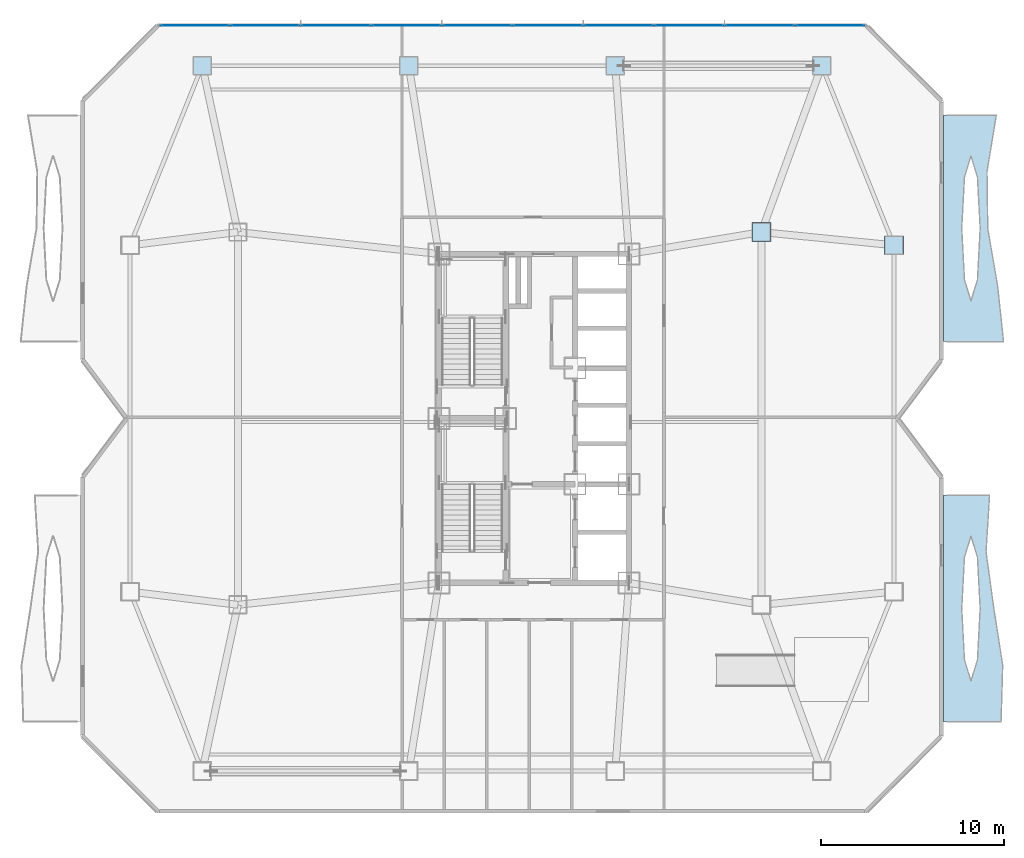
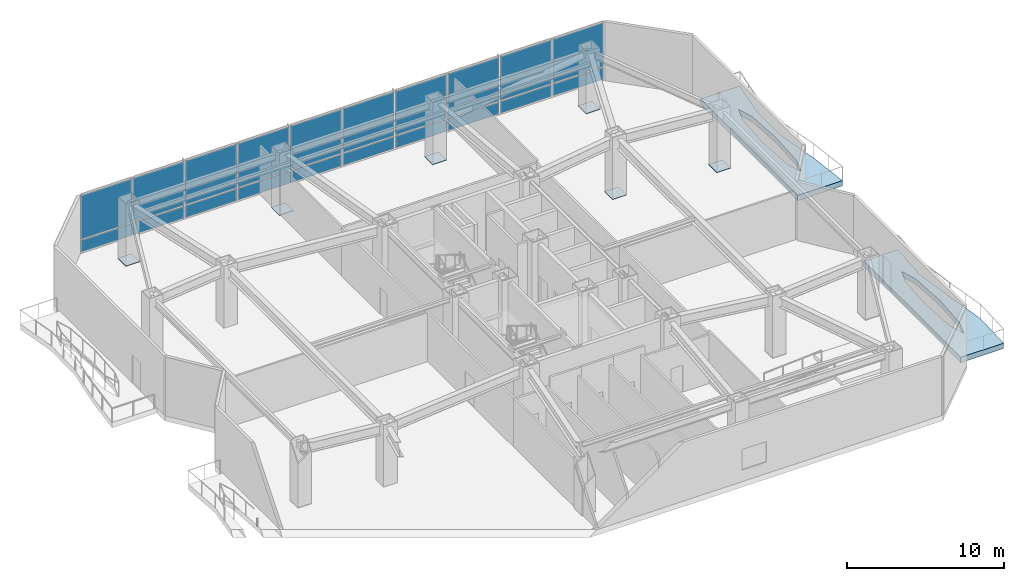
# One storey, part 7 of 14: 26 plates, 2 slabs, 1 element without a shape of its own.
"""IFC4 building model written with IfcOpenShell, lengths in metres."""

from ifc_helpers import new_model, si_unit, direction, frame, origin, origin_2d, place, context, subcontext, project, spatial, polyline, rectangle, outline, extrude, material, layer, layer_set, type_object, element, aggregate, save


model = new_model("IFC4")

# Units and contexts
model_context = context("Model", 3, precision=1e-05, world=origin(), true_north=direction((0.0, 1.0)))
body_context = subcontext(model_context, "Body", "Model", "MODEL_VIEW")
ifc_project = project(units=[si_unit("LENGTHUNIT", "METRE"), si_unit("AREAUNIT", "SQUARE_METRE"), si_unit("VOLUMEUNIT", "CUBIC_METRE"), si_unit("PLANEANGLEUNIT", "RADIAN"), si_unit("MASSUNIT", "GRAM", prefix="KILO")], contexts=[model_context])

# Site, building, storey
site_placement = place(None, origin())
site = spatial("IfcSite", under=ifc_project, at=site_placement, CompositionType="ELEMENT")
building_placement = place(site_placement, origin())
building = spatial("IfcBuilding", under=site, at=building_placement, Name="Khamvora Tower", CompositionType="ELEMENT")
storey_placement = place(building_placement, frame((0.0, 0.0, 89.800048828125)))
storey = spatial("IfcBuildingStorey", under=building, at=storey_placement, Name="L22", CompositionType="ELEMENT", Elevation=89.800048828125)

# Curtain wall, plates
ifc_material_1 = material(Name="Anodised Aluminium 6063-T6", Category="aluminium")
curtain_wall_type = type_object("IfcCurtainWallType", Name="CW-SYS-06", PredefinedType="NOTDEFINED", material=ifc_material_1)
curtain_wall_placement = place(storey_placement, origin())
curtain_wall = element("IfcCurtainWall", 1, at=curtain_wall_placement, inside=storey, type_object=curtain_wall_type, Name="L22 stick curtain wall 07.1", PredefinedType="NOTDEFINED")
ifc_material_2 = material(Name="Low-E Laminated Double Glazing", Category="glass")
ifc_layer_1 = layer(ifc_material_2, 0.0380859375)
ifc_layer_set_1 = layer_set([ifc_layer_1], Name="Low-E Laminated Double Glazing")
plate_type_1 = type_object("IfcPlateType", Name="CW-SYS-06-PNL", PredefinedType="CURTAIN_PANEL", material=ifc_layer_set_1)
plate_1_placement = place(storey_placement, frame((15.65478515625, 49.5, 0.080078125), z_axis=(0.0, 0.0, 1.0), x_axis=(1.0, 0.0, 0.0)))
plate_1 = element("IfcPlate", 2, at=plate_1_placement, type_object=plate_type_1, Name="CW-06 panel 1.1", PredefinedType="CURTAIN_PANEL", context=body_context, shape_type="SweptSolid", body=[
    extrude(rectangle(XDim=3.74560546875, YDim=0.0380859375, at=origin_2d()), origin(), (0.0, 0.0, 1.0), 0.929931640625),
])
plate_2_placement = place(storey_placement, frame((15.65478515625, 49.5, 1.08984375), z_axis=(0.0, 0.0, 1.0), x_axis=(1.0, 0.0, 0.0)))
plate_2 = element("IfcPlate", 3, at=plate_2_placement, type_object=plate_type_1, Name="CW-06 panel 1.2", PredefinedType="CURTAIN_PANEL", context=body_context, shape_type="SweptSolid", body=[
    extrude(rectangle(XDim=3.74560546875, YDim=0.0380859375, at=origin_2d()), origin(), (0.0, 0.0, 1.0), 3.409912109375),
])
plate_3_placement = place(storey_placement, frame((19.50048828125, 49.5, 0.080078125), z_axis=(0.0, 0.0, 1.0), x_axis=(1.0, 0.0, 0.0)))
plate_3 = element("IfcPlate", 4, at=plate_3_placement, type_object=plate_type_1, Name="CW-06 panel 2.1", PredefinedType="CURTAIN_PANEL", context=body_context, shape_type="SweptSolid", body=[
    extrude(rectangle(XDim=3.78564453125, YDim=0.0380859375, at=origin_2d()), origin(), (0.0, 0.0, 1.0), 0.929931640625),
])
plate_4_placement = place(storey_placement, frame((19.50048828125, 49.5, 1.08984375), z_axis=(0.0, 0.0, 1.0), x_axis=(1.0, 0.0, 0.0)))
plate_4 = element("IfcPlate", 5, at=plate_4_placement, type_object=plate_type_1, Name="CW-06 panel 2.2", PredefinedType="CURTAIN_PANEL", context=body_context, shape_type="SweptSolid", body=[
    extrude(rectangle(XDim=3.78564453125, YDim=0.0380859375, at=origin_2d()), origin(), (0.0, 0.0, 1.0), 3.409912109375),
])
plate_5_placement = place(storey_placement, frame((23.3662109375, 49.5, 0.080078125), z_axis=(0.0, 0.0, 1.0), x_axis=(1.0, 0.0, 0.0)))
plate_5 = element("IfcPlate", 6, at=plate_5_placement, type_object=plate_type_1, Name="CW-06 panel 3.1", PredefinedType="CURTAIN_PANEL", context=body_context, shape_type="SweptSolid", body=[
    extrude(rectangle(XDim=3.78564453125, YDim=0.0380859375, at=origin_2d()), origin(), (0.0, 0.0, 1.0), 0.929931640625),
])
plate_6_placement = place(storey_placement, frame((23.3662109375, 49.5, 1.08984375), z_axis=(0.0, 0.0, 1.0), x_axis=(1.0, 0.0, 0.0)))
plate_6 = element("IfcPlate", 7, at=plate_6_placement, type_object=plate_type_1, Name="CW-06 panel 3.2", PredefinedType="CURTAIN_PANEL", context=body_context, shape_type="SweptSolid", body=[
    extrude(rectangle(XDim=3.78564453125, YDim=0.0380859375, at=origin_2d()), origin(), (0.0, 0.0, 1.0), 3.409912109375),
])
plate_7_placement = place(storey_placement, frame((27.23193359375, 49.5, 0.080078125), z_axis=(0.0, 0.0, 1.0), x_axis=(1.0, 0.0, 0.0)))
plate_7 = element("IfcPlate", 8, at=plate_7_placement, type_object=plate_type_1, Name="CW-06 panel 4.1", PredefinedType="CURTAIN_PANEL", context=body_context, shape_type="SweptSolid", body=[
    extrude(rectangle(XDim=3.78564453125, YDim=0.0380859375, at=origin_2d()), origin(), (0.0, 0.0, 1.0), 0.929931640625),
])
plate_8_placement = place(storey_placement, frame((27.23193359375, 49.5, 1.08984375), z_axis=(0.0, 0.0, 1.0), x_axis=(1.0, 0.0, 0.0)))
plate_8 = element("IfcPlate", 9, at=plate_8_placement, type_object=plate_type_1, Name="CW-06 panel 4.2", PredefinedType="CURTAIN_PANEL", context=body_context, shape_type="SweptSolid", body=[
    extrude(rectangle(XDim=3.78564453125, YDim=0.0380859375, at=origin_2d()), origin(), (0.0, 0.0, 1.0), 3.409912109375),
])
plate_9_placement = place(storey_placement, frame((31.09765625, 49.5, 0.080078125), z_axis=(0.0, 0.0, 1.0), x_axis=(1.0, 0.0, 0.0)))
plate_9 = element("IfcPlate", 10, at=plate_9_placement, type_object=plate_type_1, Name="CW-06 panel 5.1", PredefinedType="CURTAIN_PANEL", context=body_context, shape_type="SweptSolid", body=[
    extrude(rectangle(XDim=3.78564453125, YDim=0.0380859375, at=origin_2d()), origin(), (0.0, 0.0, 1.0), 0.929931640625),
])
plate_10_placement = place(storey_placement, frame((31.09765625, 49.5, 1.08984375), z_axis=(0.0, 0.0, 1.0), x_axis=(1.0, 0.0, 0.0)))
plate_10 = element("IfcPlate", 11, at=plate_10_placement, type_object=plate_type_1, Name="CW-06 panel 5.2", PredefinedType="CURTAIN_PANEL", context=body_context, shape_type="SweptSolid", body=[
    extrude(rectangle(XDim=3.78564453125, YDim=0.0380859375, at=origin_2d()), origin(), (0.0, 0.0, 1.0), 3.409912109375),
])
plate_11_placement = place(storey_placement, frame((34.96337890625, 49.5, 0.080078125), z_axis=(0.0, 0.0, 1.0), x_axis=(1.0, 0.0, 0.0)))
plate_11 = element("IfcPlate", 12, at=plate_11_placement, type_object=plate_type_1, Name="CW-06 panel 6.1", PredefinedType="CURTAIN_PANEL", context=body_context, shape_type="SweptSolid", body=[
    extrude(rectangle(XDim=3.78564453125, YDim=0.0380859375, at=origin_2d()), origin(), (0.0, 0.0, 1.0), 0.929931640625),
])
plate_12_placement = place(storey_placement, frame((34.96337890625, 49.5, 1.08984375), z_axis=(0.0, 0.0, 1.0), x_axis=(1.0, 0.0, 0.0)))
plate_12 = element("IfcPlate", 13, at=plate_12_placement, type_object=plate_type_1, Name="CW-06 panel 6.2", PredefinedType="CURTAIN_PANEL", context=body_context, shape_type="SweptSolid", body=[
    extrude(rectangle(XDim=3.78564453125, YDim=0.0380859375, at=origin_2d()), origin(), (0.0, 0.0, 1.0), 3.409912109375),
])
plate_13_placement = place(storey_placement, frame((38.8291015625, 49.5, 0.080078125), z_axis=(0.0, 0.0, 1.0), x_axis=(1.0, 0.0, 0.0)))
plate_13 = element("IfcPlate", 14, at=plate_13_placement, type_object=plate_type_1, Name="CW-06 panel 7.1", PredefinedType="CURTAIN_PANEL", context=body_context, shape_type="SweptSolid", body=[
    extrude(rectangle(XDim=3.78564453125, YDim=0.0380859375, at=origin_2d()), origin(), (0.0, 0.0, 1.0), 0.929931640625),
])
plate_14_placement = place(storey_placement, frame((38.8291015625, 49.5, 1.08984375), z_axis=(0.0, 0.0, 1.0), x_axis=(1.0, 0.0, 0.0)))
plate_14 = element("IfcPlate", 15, at=plate_14_placement, type_object=plate_type_1, Name="CW-06 panel 7.2", PredefinedType="CURTAIN_PANEL", context=body_context, shape_type="SweptSolid", body=[
    extrude(rectangle(XDim=3.78564453125, YDim=0.0380859375, at=origin_2d()), origin(), (0.0, 0.0, 1.0), 3.409912109375),
])
plate_15_placement = place(storey_placement, frame((42.69482421875, 49.5, 0.080078125), z_axis=(0.0, 0.0, 1.0), x_axis=(1.0, 0.0, 0.0)))
plate_15 = element("IfcPlate", 16, at=plate_15_placement, type_object=plate_type_1, Name="CW-06 panel 8.1", PredefinedType="CURTAIN_PANEL", context=body_context, shape_type="SweptSolid", body=[
    extrude(rectangle(XDim=3.78564453125, YDim=0.0380859375, at=origin_2d()), origin(), (0.0, 0.0, 1.0), 0.929931640625),
])
plate_16_placement = place(storey_placement, frame((42.69482421875, 49.5, 1.08984375), z_axis=(0.0, 0.0, 1.0), x_axis=(1.0, 0.0, 0.0)))
plate_16 = element("IfcPlate", 17, at=plate_16_placement, type_object=plate_type_1, Name="CW-06 panel 8.2", PredefinedType="CURTAIN_PANEL", context=body_context, shape_type="SweptSolid", body=[
    extrude(rectangle(XDim=3.78564453125, YDim=0.0380859375, at=origin_2d()), origin(), (0.0, 0.0, 1.0), 3.409912109375),
])
plate_17_placement = place(storey_placement, frame((46.560546875, 49.5, 0.080078125), z_axis=(0.0, 0.0, 1.0), x_axis=(1.0, 0.0, 0.0)))
plate_17 = element("IfcPlate", 18, at=plate_17_placement, type_object=plate_type_1, Name="CW-06 panel 9.1", PredefinedType="CURTAIN_PANEL", context=body_context, shape_type="SweptSolid", body=[
    extrude(rectangle(XDim=3.78564453125, YDim=0.0380859375, at=origin_2d()), origin(), (0.0, 0.0, 1.0), 0.929931640625),
])
plate_18_placement = place(storey_placement, frame((46.560546875, 49.5, 1.08984375), z_axis=(0.0, 0.0, 1.0), x_axis=(1.0, 0.0, 0.0)))
plate_18 = element("IfcPlate", 19, at=plate_18_placement, type_object=plate_type_1, Name="CW-06 panel 9.2", PredefinedType="CURTAIN_PANEL", context=body_context, shape_type="SweptSolid", body=[
    extrude(rectangle(XDim=3.78564453125, YDim=0.0380859375, at=origin_2d()), origin(), (0.0, 0.0, 1.0), 3.409912109375),
])
plate_19_placement = place(storey_placement, frame((50.40625, 49.5, 0.080078125), z_axis=(0.0, 0.0, 1.0), x_axis=(1.0, 0.0, 0.0)))
plate_19 = element("IfcPlate", 20, at=plate_19_placement, type_object=plate_type_1, Name="CW-06 panel 10.1", PredefinedType="CURTAIN_PANEL", context=body_context, shape_type="SweptSolid", body=[
    extrude(rectangle(XDim=3.74560546875, YDim=0.0380859375, at=origin_2d()), origin(), (0.0, 0.0, 1.0), 0.929931640625),
])
plate_20_placement = place(storey_placement, frame((50.40625, 49.5, 1.08984375), z_axis=(0.0, 0.0, 1.0), x_axis=(1.0, 0.0, 0.0)))
plate_20 = element("IfcPlate", 21, at=plate_20_placement, type_object=plate_type_1, Name="CW-06 panel 10.2", PredefinedType="CURTAIN_PANEL", context=body_context, shape_type="SweptSolid", body=[
    extrude(rectangle(XDim=3.74560546875, YDim=0.0380859375, at=origin_2d()), origin(), (0.0, 0.0, 1.0), 3.409912109375),
])
aggregate(curtain_wall, [plate_1, plate_2, plate_3, plate_4, plate_5, plate_6, plate_7, plate_8, plate_9, plate_10, plate_11, plate_12, plate_13, plate_14, plate_15, plate_16, plate_17, plate_18, plate_19, plate_20])

# Plates
ifc_material_3 = material(Name="Steel S355", Category="steel")
ifc_layer_2 = layer(ifc_material_3, 0.02490234375)
ifc_layer_set_2 = layer_set([ifc_layer_2], Name="Steel S355")
plate_type_2 = type_object("IfcPlateType", Name="PL-CAP-25", PredefinedType="SHEET", material=ifc_layer_set_2)
for number, where, z_axis, x_axis, name in (
    (22, (16.050048828125, 47.300048828125, -0.00048828125), (0.0, 0.0, 1.0), (1.0, 0.0, 0.0), "L22 hollow section steel end cap plate 0158"),
    (23, (27.35009765625, 47.300048828125, -0.00048828125), (0.0, 0.0, 1.0), (1.0, 0.0, 0.0), "L22 hollow section steel end cap plate 0161"),
    (24, (38.64990234375, 47.300048828125, -0.00048828125), (0.0, 0.0, 1.0), (1.0, 0.0, 0.0), "L22 hollow section steel end cap plate 0164"),
    (25, (49.949951171875, 47.300048828125, -0.00048828125), (0.0, 0.0, 1.0), (1.0, 0.0, 0.0), "L22 hollow section steel end cap plate 0167"),
    (26, (53.89990234375, 37.47998046875, -0.00048828125), (0.0, 0.0, 1.0), (1.0, 0.0, 0.0), "L22 hollow section steel end cap plate 0179"),
    (27, (46.64990234375, 38.199951171875, -0.00048828125), (0.0, 0.0, 1.0), (1.0, 0.0, 0.0), "L22 hollow section steel end cap plate 0185"),
):
    element("IfcPlate", number, at=place(storey_placement, frame(where, z_axis=z_axis, x_axis=x_axis)), inside=storey, type_object=plate_type_2, Name=name, PredefinedType="SHEET", context=body_context, shape_type="SweptSolid", body=[
        extrude(rectangle(XDim=1.030029296875, YDim=1.030029296875, at=origin_2d()), origin(), (0.0, 0.0, 1.0), 0.02490234375),
    ])

# Slabs
ifc_material_4 = material(Name="Concrete C40/50", Category="concrete")
ifc_layer_3 = layer(ifc_material_4, 0.419921875)
ifc_layer_set_3 = layer_set([ifc_layer_3], Name="Concrete C40/50")
slab_type = type_object("IfcSlabType", Name="SLB-GRD-420", PredefinedType="FLOOR", material=ifc_layer_set_3)
slab_1_placement = place(storey_placement, frame((0.0, 0.0, -0.420166015625)))
element("IfcSlab", 28, at=slab_1_placement, inside=storey, type_object=slab_type, Name="L22 external lens gallery slab EL1", PredefinedType="FLOOR", context=body_context, shape_type="SweptSolid", body=[
    extrude(outline(polyline([(59.761962890625, 11.39990234375), (59.85205078125, 14.5), (59.366943359375, 17.60009765625), (58.94091796875, 20.699951171875), (59.132080078125, 23.800048828125), (56.60009765625, 23.800048828125), (56.60009765625, 11.39990234375), (59.761962890625, 11.39990234375)]), holes=[polyline([(58.618896484375, 17.60009765625), (58.470947265625, 20.406005859375), (58.114990234375, 21.568115234375), (57.759033203125, 20.406005859375), (57.611083984375, 17.60009765625), (57.759033203125, 14.7939453125), (58.114990234375, 13.632080078125), (58.470947265625, 14.7939453125), (58.618896484375, 17.60009765625)])]), origin(), (0.0, 0.0, 1.0), 0.420166015625),
])
slab_2_placement = place(storey_placement, frame((0.0, 0.0, -0.420166015625)))
element("IfcSlab", 29, at=slab_2_placement, inside=storey, type_object=slab_type, Name="L22 external lens gallery slab EL2", PredefinedType="FLOOR", context=body_context, shape_type="SweptSolid", body=[
    extrude(outline(polyline([(59.89990234375, 32.199951171875), (59.568115234375, 35.300048828125), (59.032958984375, 38.39990234375), (58.993896484375, 41.5), (59.5029296875, 44.60009765625), (56.60009765625, 44.60009765625), (56.60009765625, 32.199951171875), (59.89990234375, 32.199951171875)]), holes=[polyline([(58.618896484375, 38.39990234375), (58.470947265625, 41.2060546875), (58.114990234375, 42.367919921875), (57.759033203125, 41.2060546875), (57.611083984375, 38.39990234375), (57.759033203125, 35.593994140625), (58.114990234375, 34.431884765625), (58.470947265625, 35.593994140625), (58.618896484375, 38.39990234375)])]), origin(), (0.0, 0.0, 1.0), 0.420166015625),
])

save(model, "model.ifc")
